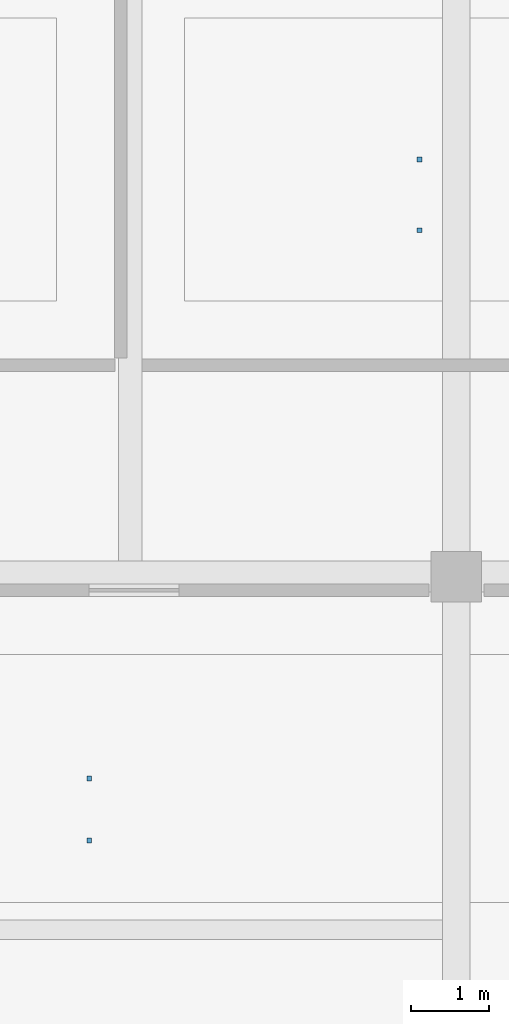
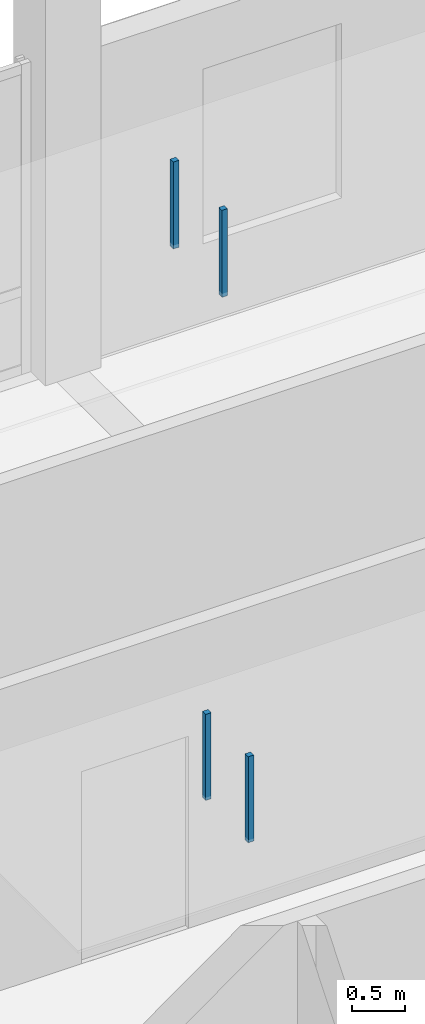
# One storey, part 17 of 30: 4 discrete accessories.
"""IFC4 building model written with IfcOpenShell, lengths in metres."""

from ifc_helpers import new_model, si_unit, direction, frame, origin, origin_2d, place, context, subcontext, project, spatial, rectangle, extrude, material, type_object, element, save


model = new_model("IFC4")

# Units and contexts
model_context = context("Model", 3, precision=1e-05, world=origin(), true_north=direction((0.0, 1.0)))
body_context = subcontext(model_context, "Body", "Model", "MODEL_VIEW")
ifc_project = project(units=[si_unit("LENGTHUNIT", "METRE"), si_unit("AREAUNIT", "SQUARE_METRE"), si_unit("VOLUMEUNIT", "CUBIC_METRE"), si_unit("PLANEANGLEUNIT", "RADIAN"), si_unit("MASSUNIT", "GRAM", prefix="KILO")], contexts=[model_context])

# Site, building, storey
site_placement = place(None, origin())
site = spatial("IfcSite", under=ifc_project, at=site_placement, CompositionType="ELEMENT")
building_placement = place(site_placement, origin())
building = spatial("IfcBuilding", under=site, at=building_placement, Name="Telukmera Botanical Conservatory", CompositionType="ELEMENT")
storey_placement = place(building_placement, frame((0.0, 0.0, 60.0)))
storey = spatial("IfcBuildingStorey", under=building, at=storey_placement, Name="L13", CompositionType="ELEMENT", Elevation=60.0)

# Discrete accessories
ifc_material = material(Name="Steel S355", Category="steel")
discrete_accessory_type = type_object("IfcDiscreteAccessoryType", Name="ACC-CEIL-HGR", PredefinedType="BRACKET", material=ifc_material)
for number, where, z_axis, x_axis, name in (
    (1, (79.27099609375, 31.0, 3.31982421875), (0.0, 0.0, 1.0), (1.0, 0.0, 0.0), "L13 Suspended Ceiling Hanger Rod 011-1"),
    (2, (79.27099609375, 31.800048828125, 3.31982421875), (0.0, 0.0, 1.0), (1.0, 0.0, 0.0), "L13 Suspended Ceiling Hanger Rod 011-2"),
):
    element("IfcDiscreteAccessory", number, at=place(storey_placement, frame(where, z_axis=z_axis, x_axis=x_axis)), inside=storey, type_object=discrete_accessory_type, Name=name, PredefinedType="BRACKET", context=body_context, shape_type="SweptSolid", body=[
        extrude(rectangle(XDim=0.06005859375, YDim=0.06005859375, at=origin_2d()), origin(), (0.0, 0.0, 1.0), 0.985107421875),
    ])
for number, where, z_axis, x_axis, name in (
    (3, (83.52490234375, 38.862548828125, 3.31005859375), (0.0, 0.0, 1.0), (1.0, 0.0, 0.0), "L13 Suspended Ceiling Hanger Rod 030-1"),
    (4, (83.52490234375, 39.77490234375, 3.31005859375), (0.0, 0.0, 1.0), (1.0, 0.0, 0.0), "L13 Suspended Ceiling Hanger Rod 030-2"),
):
    element("IfcDiscreteAccessory", number, at=place(storey_placement, frame(where, z_axis=z_axis, x_axis=x_axis)), inside=storey, type_object=discrete_accessory_type, Name=name, PredefinedType="BRACKET", context=body_context, shape_type="SweptSolid", body=[
        extrude(rectangle(XDim=0.06005859375, YDim=0.06005859375, at=origin_2d()), origin(), (0.0, 0.0, 1.0), 0.9951171875),
    ])

save(model, "model.ifc")
